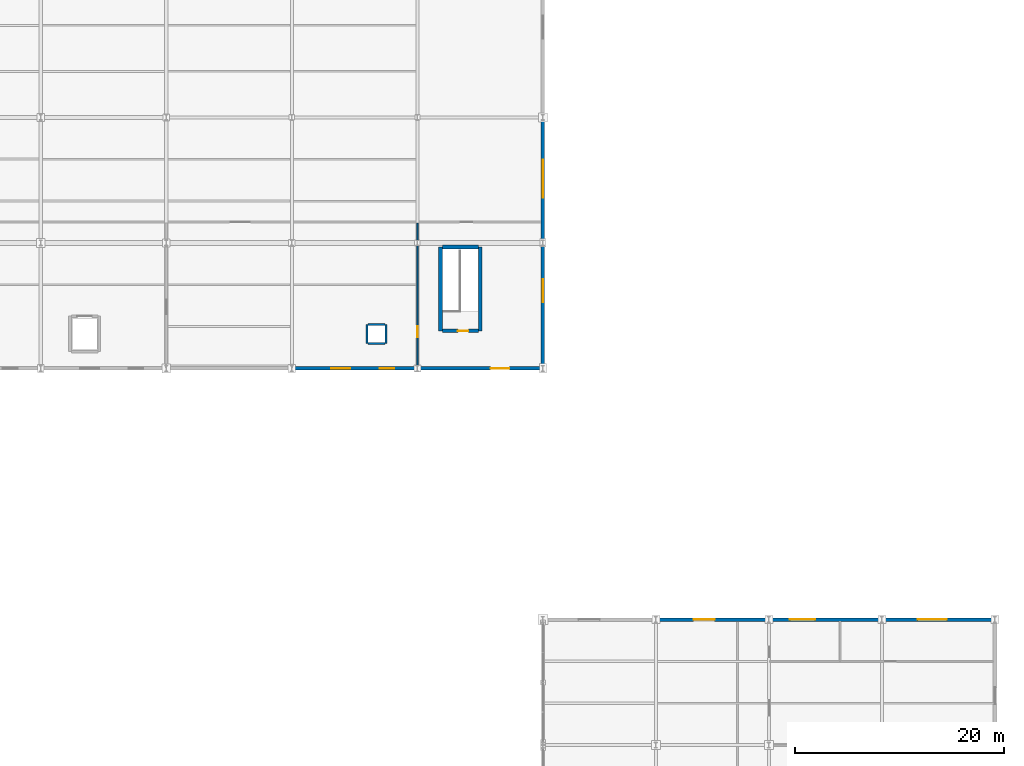
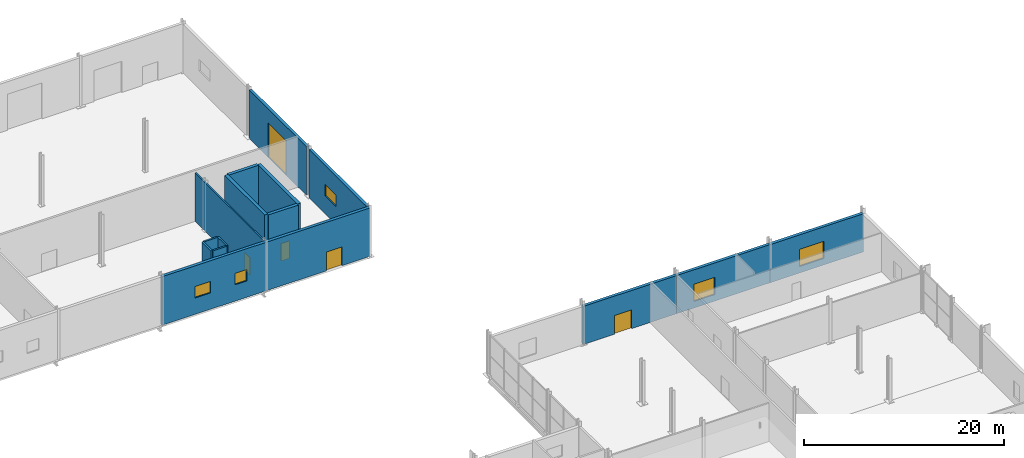
# One storey, part 176 of 196: 16 walls, 5 doors, 5 windows, 10 openings.
"""IFC4 building model written with IfcOpenShell, lengths in metres."""

from ifc_helpers import new_model, si_unit, direction, frame, frame_2d, origin, place, context, subcontext, project, spatial, rectangle, extrude, material, layer, layer_set, type_object, element, fill, save


model = new_model("IFC4")

# Units and contexts
model_context = context("Model", 3, precision=1e-05, world=origin(), true_north=direction((0.0, 1.0)))
body_context = subcontext(model_context, "Body", "Model", "MODEL_VIEW")
ifc_project = project(units=[si_unit("LENGTHUNIT", "METRE"), si_unit("AREAUNIT", "SQUARE_METRE"), si_unit("VOLUMEUNIT", "CUBIC_METRE"), si_unit("PLANEANGLEUNIT", "RADIAN"), si_unit("MASSUNIT", "GRAM", prefix="KILO")], contexts=[model_context])

# Site, building, storey
site_placement = place(None, origin())
site = spatial("IfcSite", under=ifc_project, at=site_placement, CompositionType="ELEMENT")
building_placement = place(site_placement, origin())
building = spatial("IfcBuilding", under=site, at=building_placement, Name="Merenkruunu Market Hall", CompositionType="ELEMENT")
storey_placement = place(building_placement, origin())
storey = spatial("IfcBuildingStorey", under=building, at=storey_placement, Name="L00", CompositionType="ELEMENT", Elevation=0.0)

# Wall, openings, windows
ifc_material_1 = material(Name="Precast concrete C40/50", Category="concrete")
ifc_layer_1 = layer(ifc_material_1, 0.340087890625)
ifc_layer_set_1 = layer_set([ifc_layer_1], Name="Precast concrete C40/50")
wall_type_1 = type_object("IfcWallType", Name="Exterior Envelope Wall EW03", PredefinedType="STANDARD", material=ifc_layer_set_1)
wall_1_placement = place(storey_placement, frame((136.789794921875, 87.60009765625, 0.0), z_axis=(0.0, 0.0, 1.0), x_axis=(-1.0, 0.0, 0.0)))
wall_1 = element("IfcWall", 1, at=wall_1_placement, inside=storey, type_object=wall_type_1, Name="WALL-EXT-L00-0055", PredefinedType="STANDARD", context=body_context, shape_type="SweptSolid", body=[
    extrude(rectangle(XDim=11.9794921875, YDim=0.340087890625, at=frame_2d((5.98974609375, 0.0))), origin(), (0.0, 0.0, 1.0), 5.93505859375),
])
opening_1_placement = place(wall_1_placement, frame((2.199951171875, 0.0, 2.0)))
opening_1 = element("IfcOpeningElement", 2, at=opening_1_placement, cuts=wall_1, Name="Opening WN13", PredefinedType="OPENING", context=body_context, shape_type="SweptSolid", body=[
    extrude(rectangle(XDim=1.39990234375, YDim=1.39990234375, at=frame_2d((0.699951171875, 0.699951171875))), frame((0.0, 0.18017578125, 0.0), z_axis=(0.0, -1.0, 0.0), x_axis=(1.0, 0.0, 0.0)), (0.0, 0.0, 1.0), 0.360107421875),
])
opening_2_placement = place(wall_1_placement, frame((6.39990234375, 0.0, 2.0)))
opening_2 = element("IfcOpeningElement", 3, at=opening_2_placement, cuts=wall_1, Name="Opening WN14", PredefinedType="OPENING", context=body_context, shape_type="SweptSolid", body=[
    extrude(rectangle(XDim=1.800048828125, YDim=1.39990234375, at=frame_2d((0.89990234375, 0.699951171875))), frame((0.0, 0.18017578125, 0.0), z_axis=(0.0, -1.0, 0.0), x_axis=(1.0, 0.0, 0.0)), (0.0, 0.0, 1.0), 0.360107421875),
])
ifc_material_2 = material(Name="Triple low-E insulated glass", Category="glass")
ifc_layer_2 = layer(ifc_material_2, 0.06005859375)
ifc_layer_set_2 = layer_set([ifc_layer_2], Name="Triple low-E insulated glass")
window_type_1 = type_object("IfcWindowType", Name="Exterior Window WN13", PartitioningType="SINGLE_PANEL", PredefinedType="WINDOW", material=ifc_layer_set_2)
window_1_placement = place(opening_1_placement, origin())
window_1 = element("IfcWindow", 4, at=window_1_placement, inside=storey, type_object=window_type_1, Name="WIN-L00-0018", OverallHeight=1.39990234375, OverallWidth=1.39990234375, PartitioningType="SINGLE_PANEL", PredefinedType="WINDOW", context=body_context, shape_type="SweptSolid", body=[
    extrude(rectangle(XDim=1.39990234375, YDim=1.39990234375, at=frame_2d((0.699951171875, 0.699951171875))), frame((0.0, 0.030029296875, 0.0), z_axis=(0.0, -1.0, 0.0), x_axis=(1.0, 0.0, 0.0)), (0.0, 0.0, 1.0), 0.06005859375),
])
fill(opening_1, window_1)
ifc_layer_3 = layer(ifc_material_2, 0.06005859375)
ifc_layer_set_3 = layer_set([ifc_layer_3], Name="Triple low-E insulated glass")
window_type_2 = type_object("IfcWindowType", Name="Exterior Window WN14", PartitioningType="SINGLE_PANEL", PredefinedType="WINDOW", material=ifc_layer_set_3)
window_2_placement = place(opening_2_placement, origin())
window_2 = element("IfcWindow", 5, at=window_2_placement, inside=storey, type_object=window_type_2, Name="WIN-L00-0019", OverallHeight=1.39990234375, OverallWidth=1.800048828125, PartitioningType="SINGLE_PANEL", PredefinedType="WINDOW", context=body_context, shape_type="SweptSolid", body=[
    extrude(rectangle(XDim=1.800048828125, YDim=1.39990234375, at=frame_2d((0.89990234375, 0.699951171875))), frame((0.0, 0.030029296875, 0.0), z_axis=(0.0, -1.0, 0.0), x_axis=(1.0, 0.0, 0.0)), (0.0, 0.0, 1.0), 0.06005859375),
])
fill(opening_2, window_2)

# Wall, opening, door
wall_2_placement = place(storey_placement, frame((148.789794921875, 87.60009765625, 0.0), z_axis=(0.0, 0.0, 1.0), x_axis=(-1.0, 0.0, 0.0)))
wall_2 = element("IfcWall", 6, at=wall_2_placement, inside=storey, type_object=wall_type_1, Name="WALL-EXT-L00-0056", PredefinedType="STANDARD", context=body_context, shape_type="SweptSolid", body=[
    extrude(rectangle(XDim=11.9794921875, YDim=0.340087890625, at=frame_2d((5.98974609375, 0.0))), origin(), (0.0, 0.0, 1.0), 5.93505859375),
])
opening_3_placement = place(wall_2_placement, frame((3.199951171875, 0.0, 0.0)))
opening_3 = element("IfcOpeningElement", 7, at=opening_3_placement, cuts=wall_2, Name="Opening EXD04", PredefinedType="OPENING", context=body_context, shape_type="SweptSolid", body=[
    extrude(rectangle(XDim=1.800048828125, YDim=2.300048828125, at=frame_2d((0.89990234375, 1.14990234375))), frame((0.0, 0.18017578125, 0.0), z_axis=(0.0, -1.0, 0.0), x_axis=(1.0, 0.0, 0.0)), (0.0, 0.0, 1.0), 0.360107421875),
])
ifc_material_3 = material(Name="Powder-coated aluminium", Category="aluminium")
door_type_1 = type_object("IfcDoorType", Name="Pedestrian Exit Door EXD04", OperationType="NOTDEFINED", PredefinedType="DOOR", material=ifc_material_3)
door_1_placement = place(opening_3_placement, origin())
door_1 = element("IfcDoor", 8, at=door_1_placement, inside=storey, type_object=door_type_1, Name="EX-24", OperationType="DOUBLE_DOOR_SINGLE_SWING", OverallHeight=2.300048828125, OverallWidth=1.800048828125, PredefinedType="DOOR", context=body_context, shape_type="SweptSolid", body=[
    extrude(rectangle(XDim=1.800048828125, YDim=2.300048828125, at=frame_2d((0.89990234375, 1.14990234375))), frame((0.0, 0.02490234375, 0.0), z_axis=(0.0, -1.0, 0.0), x_axis=(1.0, 0.0, 0.0)), (0.0, 0.0, 1.0), 0.050048828125),
])
fill(opening_3, door_1)

wall_3_placement = place(storey_placement, frame((159.6103515625, 63.60009765625, 0.0), z_axis=(0.0, 0.0, 1.0), x_axis=(1.0, 0.0, 0.0)))
wall_3 = element("IfcWall", 9, at=wall_3_placement, inside=storey, type_object=wall_type_1, Name="WALL-EXT-L00-0066", PredefinedType="STANDARD", context=body_context, shape_type="SweptSolid", body=[
    extrude(rectangle(XDim=10.779296875, YDim=0.340087890625, at=frame_2d((5.3896484375, 0.0))), origin(), (0.0, 0.0, 1.0), 4.6650390625),
])
opening_4_placement = place(wall_3_placement, frame((3.60009765625, 0.0, 0.0)))
opening_4 = element("IfcOpeningElement", 10, at=opening_4_placement, cuts=wall_3, Name="Opening EXD03", PredefinedType="OPENING", context=body_context, shape_type="SweptSolid", body=[
    extrude(rectangle(XDim=2.0, YDim=2.300048828125, at=frame_2d((1.0, 1.14990234375))), frame((0.0, 0.18017578125, 0.0), z_axis=(0.0, -1.0, 0.0), x_axis=(1.0, 0.0, 0.0)), (0.0, 0.0, 1.0), 0.360107421875),
])
door_type_2 = type_object("IfcDoorType", Name="Pedestrian Exit Door EXD03", OperationType="NOTDEFINED", PredefinedType="DOOR", material=ifc_material_3)
door_2_placement = place(opening_4_placement, origin())
door_2 = element("IfcDoor", 11, at=door_2_placement, inside=storey, type_object=door_type_2, Name="EX-30", OperationType="DOUBLE_DOOR_SINGLE_SWING", OverallHeight=2.300048828125, OverallWidth=2.0, PredefinedType="DOOR", context=body_context, shape_type="SweptSolid", body=[
    extrude(rectangle(XDim=2.0, YDim=2.300048828125, at=frame_2d((1.0, 1.14990234375))), frame((0.0, 0.02490234375, 0.0), z_axis=(0.0, -1.0, 0.0), x_axis=(1.0, 0.0, 0.0)), (0.0, 0.0, 1.0), 0.050048828125),
])
fill(opening_4, door_2)

# Wall, opening, window
wall_4_placement = place(storey_placement, frame((170.410400390625, 63.60009765625, 0.0), z_axis=(0.0, 0.0, 1.0), x_axis=(1.0, 0.0, 0.0)))
wall_4 = element("IfcWall", 12, at=wall_4_placement, inside=storey, type_object=wall_type_1, Name="WALL-EXT-L00-0067", PredefinedType="STANDARD", context=body_context, shape_type="SweptSolid", body=[
    extrude(rectangle(XDim=10.779296875, YDim=0.340087890625, at=frame_2d((5.3896484375, 0.0))), origin(), (0.0, 0.0, 1.0), 4.6650390625),
])
opening_5_placement = place(wall_4_placement, frame((2.0, 0.0, 0.800048828125)))
opening_5 = element("IfcOpeningElement", 13, at=opening_5_placement, cuts=wall_4, Name="Opening WN11", PredefinedType="OPENING", context=body_context, shape_type="SweptSolid", body=[
    extrude(rectangle(XDim=2.39990234375, YDim=2.10009765625, at=frame_2d((1.199951171875, 1.050048828125))), frame((0.0, 0.18017578125, 0.0), z_axis=(0.0, -1.0, 0.0), x_axis=(1.0, 0.0, 0.0)), (0.0, 0.0, 1.0), 0.360107421875),
])
ifc_layer_4 = layer(ifc_material_2, 0.06005859375)
ifc_layer_set_4 = layer_set([ifc_layer_4], Name="Triple low-E insulated glass")
window_type_3 = type_object("IfcWindowType", Name="Exterior Window WN11", PartitioningType="SINGLE_PANEL", PredefinedType="WINDOW", material=ifc_layer_set_4)
window_3_placement = place(opening_5_placement, origin())
window_3 = element("IfcWindow", 14, at=window_3_placement, inside=storey, type_object=window_type_3, Name="WIN-L00-0025", OverallHeight=2.10009765625, OverallWidth=2.39990234375, PartitioningType="SINGLE_PANEL", PredefinedType="WINDOW", context=body_context, shape_type="SweptSolid", body=[
    extrude(rectangle(XDim=2.39990234375, YDim=2.10009765625, at=frame_2d((1.199951171875, 1.050048828125))), frame((0.0, 0.030029296875, 0.0), z_axis=(0.0, -1.0, 0.0), x_axis=(1.0, 0.0, 0.0)), (0.0, 0.0, 1.0), 0.06005859375),
])
fill(opening_5, window_3)

wall_5_placement = place(storey_placement, frame((181.210205078125, 63.60009765625, 0.0), z_axis=(0.0, 0.0, 1.0), x_axis=(1.0, 0.0, 0.0)))
wall_5 = element("IfcWall", 15, at=wall_5_placement, inside=storey, type_object=wall_type_1, Name="WALL-EXT-L00-0068", PredefinedType="STANDARD", context=body_context, shape_type="SweptSolid", body=[
    extrude(rectangle(XDim=10.779541015625, YDim=0.340087890625, at=frame_2d((5.3896484375, 0.0))), origin(), (0.0, 0.0, 1.0), 4.6650390625),
])
opening_6_placement = place(wall_5_placement, frame((3.39990234375, 0.0, 0.800048828125)))
opening_6 = element("IfcOpeningElement", 16, at=opening_6_placement, cuts=wall_5, Name="Opening WN12", PredefinedType="OPENING", context=body_context, shape_type="SweptSolid", body=[
    extrude(rectangle(XDim=2.800048828125, YDim=2.10009765625, at=frame_2d((1.39990234375, 1.050048828125))), frame((0.0, 0.18017578125, 0.0), z_axis=(0.0, -1.0, 0.0), x_axis=(1.0, 0.0, 0.0)), (0.0, 0.0, 1.0), 0.360107421875),
])
ifc_layer_5 = layer(ifc_material_2, 0.06005859375)
ifc_layer_set_5 = layer_set([ifc_layer_5], Name="Triple low-E insulated glass")
window_type_4 = type_object("IfcWindowType", Name="Exterior Window WN12", PartitioningType="SINGLE_PANEL", PredefinedType="WINDOW", material=ifc_layer_set_5)
window_4_placement = place(opening_6_placement, origin())
window_4 = element("IfcWindow", 17, at=window_4_placement, inside=storey, type_object=window_type_4, Name="WIN-L00-0026", OverallHeight=2.10009765625, OverallWidth=2.800048828125, PartitioningType="SINGLE_PANEL", PredefinedType="WINDOW", context=body_context, shape_type="SweptSolid", body=[
    extrude(rectangle(XDim=2.800048828125, YDim=2.10009765625, at=frame_2d((1.39990234375, 1.050048828125))), frame((0.0, 0.030029296875, 0.0), z_axis=(0.0, -1.0, 0.0), x_axis=(1.0, 0.0, 0.0)), (0.0, 0.0, 1.0), 0.06005859375),
])
fill(opening_6, window_4)

ifc_material_4 = material(Name="Ribbed insulated steel cladding", Category="steel")
ifc_layer_6 = layer(ifc_material_4, 0.320068359375)
ifc_layer_set_6 = layer_set([ifc_layer_6], Name="Ribbed insulated steel cladding")
wall_type_2 = type_object("IfcWallType", Name="Exterior Envelope Wall EW04", PredefinedType="STANDARD", material=ifc_layer_set_6)
wall_6_placement = place(storey_placement, frame((148.800048828125, 99.325927734375, 0.0), z_axis=(0.0, 0.0, 1.0), x_axis=(0.0, -1.0, 0.0)))
wall_6 = element("IfcWall", 18, at=wall_6_placement, inside=storey, type_object=wall_type_2, Name="WALL-EXT-L00-0048", PredefinedType="STANDARD", context=body_context, shape_type="SweptSolid", body=[
    extrude(rectangle(XDim=11.451904296875, YDim=0.320068359375, at=frame_2d((5.72607421875, 0.0))), origin(), (0.0, 0.0, 1.0), 5.93505859375),
])
opening_7_placement = place(wall_6_placement, frame((3.199951171875, 0.0, 2.199951171875)))
opening_7 = element("IfcOpeningElement", 19, at=opening_7_placement, cuts=wall_6, Name="Opening WN15", PredefinedType="OPENING", context=body_context, shape_type="SweptSolid", body=[
    extrude(rectangle(XDim=2.199951171875, YDim=1.39990234375, at=frame_2d((1.10009765625, 0.699951171875))), frame((0.0, 0.169921875, 0.0), z_axis=(0.0, -1.0, 0.0), x_axis=(1.0, 0.0, 0.0)), (0.0, 0.0, 1.0), 0.340087890625),
])
ifc_layer_7 = layer(ifc_material_2, 0.06005859375)
ifc_layer_set_7 = layer_set([ifc_layer_7], Name="Triple low-E insulated glass")
window_type_5 = type_object("IfcWindowType", Name="Exterior Window WN15", PartitioningType="SINGLE_PANEL", PredefinedType="WINDOW", material=ifc_layer_set_7)
window_5_placement = place(opening_7_placement, origin())
window_5 = element("IfcWindow", 20, at=window_5_placement, inside=storey, type_object=window_type_5, Name="WIN-L00-0012", OverallHeight=1.39990234375, OverallWidth=2.199951171875, PartitioningType="SINGLE_PANEL", PredefinedType="WINDOW", context=body_context, shape_type="SweptSolid", body=[
    extrude(rectangle(XDim=2.199951171875, YDim=1.39990234375, at=frame_2d((1.10009765625, 0.699951171875))), frame((0.0, 0.030029296875, 0.0), z_axis=(0.0, -1.0, 0.0), x_axis=(1.0, 0.0, 0.0)), (0.0, 0.0, 1.0), 0.06005859375),
])
fill(opening_7, window_5)

# Wall, opening, door
wall_7_placement = place(storey_placement, frame((148.800048828125, 111.325927734375, 0.0), z_axis=(0.0, 0.0, 1.0), x_axis=(0.0, -1.0, 0.0)))
wall_7 = element("IfcWall", 21, at=wall_7_placement, inside=storey, type_object=wall_type_2, Name="WALL-EXT-L00-0049", PredefinedType="STANDARD", context=body_context, shape_type="SweptSolid", body=[
    extrude(rectangle(XDim=11.451904296875, YDim=0.320068359375, at=frame_2d((5.72607421875, 0.0))), origin(), (0.0, 0.0, 1.0), 5.93505859375),
])
opening_8_placement = place(wall_7_placement, frame((3.800048828125, 0.0, 0.0)))
opening_8 = element("IfcOpeningElement", 22, at=opening_8_placement, cuts=wall_7, Name="Opening SHG02", PredefinedType="OPENING", context=body_context, shape_type="SweptSolid", body=[
    extrude(rectangle(XDim=3.60009765625, YDim=4.199951171875, at=frame_2d((1.800048828125, 2.10009765625))), frame((0.0, 0.169921875, 0.0), z_axis=(0.0, -1.0, 0.0), x_axis=(1.0, 0.0, 0.0)), (0.0, 0.0, 1.0), 0.340087890625),
])
door_type_3 = type_object("IfcDoorType", Name="Loading Dock Sectional Gate SHG02", OperationType="NOTDEFINED", PredefinedType="GATE", material=ifc_material_3)
door_3_placement = place(opening_8_placement, origin())
door_3 = element("IfcDoor", 23, at=door_3_placement, inside=storey, type_object=door_type_3, Name="Loading dock gate SH07", OperationType="ROLLINGUP", OverallHeight=4.199951171875, OverallWidth=3.60009765625, PredefinedType="GATE", context=body_context, shape_type="SweptSolid", body=[
    extrude(rectangle(XDim=3.60009765625, YDim=4.199951171875, at=frame_2d((1.800048828125, 2.10009765625))), frame((0.0, 0.02490234375, 0.0), z_axis=(0.0, -1.0, 0.0), x_axis=(1.0, 0.0, 0.0)), (0.0, 0.0, 1.0), 0.050048828125),
])
fill(opening_8, door_3)

# Walls
ifc_material_5 = material(Name="Gypsum fire compartment board")
ifc_layer_8 = layer(ifc_material_5, 0.199951171875)
ifc_layer_set_8 = layer_set([ifc_layer_8], Name="Gypsum fire compartment board")
wall_type_3 = type_object("IfcWallType", Name="Interior Partition Wall FW02", PredefinedType="PARTITIONING", material=ifc_layer_set_8)
wall_8_placement = place(storey_placement, frame((132.10205078125, 90.0, 0.0), z_axis=(0.0, 0.0, 1.0), x_axis=(1.0, 0.0, 0.0)))
element("IfcWall", 24, at=wall_8_placement, inside=storey, type_object=wall_type_3, Name="WALL-INT-L00-0115", PredefinedType="PARTITIONING", context=body_context, shape_type="SweptSolid", body=[
    extrude(rectangle(XDim=1.595947265625, YDim=0.199951171875, at=frame_2d((0.7978515625, 0.0))), origin(), (0.0, 0.0, 1.0), 5.0400390625),
])
wall_9_placement = place(storey_placement, frame((133.800048828125, 90.0, 0.0), z_axis=(0.0, 0.0, 1.0), x_axis=(0.0, 1.0, 0.0)))
element("IfcWall", 25, at=wall_9_placement, inside=storey, type_object=wall_type_3, Name="WALL-INT-L00-0116", PredefinedType="PARTITIONING", context=body_context, shape_type="SweptSolid", body=[
    extrude(rectangle(XDim=1.800048828125, YDim=0.199951171875, at=frame_2d((0.89990234375, 0.0))), origin(), (0.0, 0.0, 1.0), 5.0400390625),
])
wall_10_placement = place(storey_placement, frame((133.697998046875, 91.800048828125, 0.0), z_axis=(0.0, 0.0, 1.0), x_axis=(-1.0, 0.0, 0.0)))
element("IfcWall", 26, at=wall_10_placement, inside=storey, type_object=wall_type_3, Name="WALL-INT-L00-0117", PredefinedType="PARTITIONING", context=body_context, shape_type="SweptSolid", body=[
    extrude(rectangle(XDim=1.595947265625, YDim=0.199951171875, at=frame_2d((0.7978515625, 0.0))), origin(), (0.0, 0.0, 1.0), 5.0400390625),
])
wall_11_placement = place(storey_placement, frame((132.0, 91.800048828125, 0.0), z_axis=(0.0, 0.0, 1.0), x_axis=(0.0, -1.0, 0.0)))
element("IfcWall", 27, at=wall_11_placement, inside=storey, type_object=wall_type_3, Name="WALL-INT-L00-0118", PredefinedType="PARTITIONING", context=body_context, shape_type="SweptSolid", body=[
    extrude(rectangle(XDim=1.800048828125, YDim=0.199951171875, at=frame_2d((0.89990234375, 0.0))), origin(), (0.0, 0.0, 1.0), 5.0400390625),
])

# Wall, opening, door
ifc_material_6 = material(Name="Gypsum acoustic partition board")
ifc_layer_9 = layer(ifc_material_6, 0.159912109375)
ifc_layer_set_9 = layer_set([ifc_layer_9], Name="Gypsum acoustic partition board")
wall_type_4 = type_object("IfcWallType", Name="Interior Partition Wall PW01", PredefinedType="PARTITIONING", material=ifc_layer_set_9)
wall_12_placement = place(storey_placement, frame((136.800048828125, 87.77197265625, 0.0), z_axis=(0.0, 0.0, 1.0), x_axis=(0.0, 1.0, 0.0)))
wall_12 = element("IfcWall", 28, at=wall_12_placement, inside=storey, type_object=wall_type_4, Name="WALL-INT-L00-0041", PredefinedType="PARTITIONING", context=body_context, shape_type="SweptSolid", body=[
    extrude(rectangle(XDim=13.716064453125, YDim=0.159912109375, at=frame_2d((6.85791015625, 0.0))), origin(), (0.0, 0.0, 1.0), 5.93505859375),
])
opening_9_placement = place(wall_12_placement, frame((2.800048828125, 0.0, 0.0)))
opening_9 = element("IfcOpeningElement", 29, at=opening_9_placement, cuts=wall_12, Name="Opening D10", PredefinedType="OPENING", context=body_context, shape_type="SweptSolid", body=[
    extrude(rectangle(XDim=1.080078125, YDim=2.14990234375, at=frame_2d((0.5400390625, 1.074951171875))), frame((0.0, 0.08984375, 0.0), z_axis=(0.0, -1.0, 0.0), x_axis=(1.0, 0.0, 0.0)), (0.0, 0.0, 1.0), 0.179931640625),
])
ifc_material_7 = material(Name="Lacquered Nordic birch")
door_type_4 = type_object("IfcDoorType", Name="Pedestrian Room Door D10", OperationType="NOTDEFINED", PredefinedType="DOOR", material=ifc_material_7)
door_4_placement = place(opening_9_placement, origin())
door_4 = element("IfcDoor", 30, at=door_4_placement, inside=storey, type_object=door_type_4, Name="DR-L00-045", OperationType="SINGLE_SWING_LEFT", OverallHeight=2.14990234375, OverallWidth=1.080078125, PredefinedType="DOOR", context=body_context, shape_type="SweptSolid", body=[
    extrude(rectangle(XDim=1.080078125, YDim=2.14990234375, at=frame_2d((0.5400390625, 1.074951171875))), frame((0.0, 0.02490234375, 0.0), z_axis=(0.0, -1.0, 0.0), x_axis=(1.0, 0.0, 0.0)), (0.0, 0.0, 1.0), 0.050048828125),
])
fill(opening_9, door_4)

ifc_material_8 = material(Name="Concrete C35/45", Category="concrete")
ifc_layer_10 = layer(ifc_material_8, 0.360107421875)
ifc_layer_set_10 = layer_set([ifc_layer_10], Name="Concrete C35/45")
wall_type_5 = type_object("IfcWallType", Name="Structural Shear Wall SW01", PredefinedType="SHEAR", material=ifc_layer_set_10)
wall_13_placement = place(storey_placement, frame((142.6201171875, 91.199951171875, 0.0), z_axis=(0.0, 0.0, 1.0), x_axis=(-1.0, 0.0, 0.0)))
wall_13 = element("IfcWall", 31, at=wall_13_placement, inside=storey, type_object=wall_type_5, Name="WALL-CORE-K7-L00-S", PredefinedType="SHEAR", context=body_context, shape_type="SweptSolid", body=[
    extrude(rectangle(XDim=3.440185546875, YDim=0.360107421875, at=frame_2d((1.72021484375, 0.0))), origin(), (0.0, 0.0, 1.0), 6.280029296875),
])
opening_10_placement = place(wall_13_placement, frame((0.949951171875, 0.0, 0.0)))
opening_10 = element("IfcOpeningElement", 32, at=opening_10_placement, cuts=wall_13, Name="Opening FD01", PredefinedType="OPENING", context=body_context, shape_type="SweptSolid", body=[
    extrude(rectangle(XDim=1.0, YDim=2.14990234375, at=frame_2d((0.5, 1.074951171875))), frame((0.0, 0.18994140625, 0.0), z_axis=(0.0, -1.0, 0.0), x_axis=(1.0, 0.0, 0.0)), (0.0, 0.0, 1.0), 0.380126953125),
])
door_type_5 = type_object("IfcDoorType", Name="Fire Compartment Door FD01", OperationType="NOTDEFINED", PredefinedType="DOOR", material=ifc_material_3)
door_5_placement = place(opening_10_placement, origin())
door_5 = element("IfcDoor", 33, at=door_5_placement, inside=storey, type_object=door_type_5, Name="DR-L00-122", OperationType="SINGLE_SWING_RIGHT", OverallHeight=2.14990234375, OverallWidth=1.0, PredefinedType="DOOR", context=body_context, shape_type="SweptSolid", body=[
    extrude(rectangle(XDim=1.0, YDim=2.14990234375, at=frame_2d((0.5, 1.074951171875))), frame((0.0, 0.02490234375, 0.0), z_axis=(0.0, -1.0, 0.0), x_axis=(1.0, 0.0, 0.0)), (0.0, 0.0, 1.0), 0.050048828125),
])
fill(opening_10, door_5)

# Walls
wall_14_placement = place(storey_placement, frame((142.800048828125, 91.199951171875, 0.0), z_axis=(0.0, 0.0, 1.0), x_axis=(0.0, 1.0, 0.0)))
element("IfcWall", 34, at=wall_14_placement, inside=storey, type_object=wall_type_5, Name="WALL-CORE-K7-L00-E", PredefinedType="SHEAR", context=body_context, shape_type="SweptSolid", body=[
    extrude(rectangle(XDim=8.0, YDim=0.360107421875, at=frame_2d((4.0, 0.0))), origin(), (0.0, 0.0, 1.0), 6.280029296875),
])
wall_15_placement = place(storey_placement, frame((142.6201171875, 99.199951171875, 0.0), z_axis=(0.0, 0.0, 1.0), x_axis=(-1.0, 0.0, 0.0)))
element("IfcWall", 35, at=wall_15_placement, inside=storey, type_object=wall_type_5, Name="WALL-CORE-K7-L00-N", PredefinedType="SHEAR", context=body_context, shape_type="SweptSolid", body=[
    extrude(rectangle(XDim=3.440185546875, YDim=0.360107421875, at=frame_2d((1.72021484375, 0.0))), origin(), (0.0, 0.0, 1.0), 6.280029296875),
])
wall_16_placement = place(storey_placement, frame((139.0, 99.199951171875, 0.0), z_axis=(0.0, 0.0, 1.0), x_axis=(0.0, -1.0, 0.0)))
element("IfcWall", 36, at=wall_16_placement, inside=storey, type_object=wall_type_5, Name="WALL-CORE-K7-L00-W", PredefinedType="SHEAR", context=body_context, shape_type="SweptSolid", body=[
    extrude(rectangle(XDim=8.0, YDim=0.360107421875, at=frame_2d((4.0, 0.0))), origin(), (0.0, 0.0, 1.0), 6.280029296875),
])

save(model, "model.ifc")
